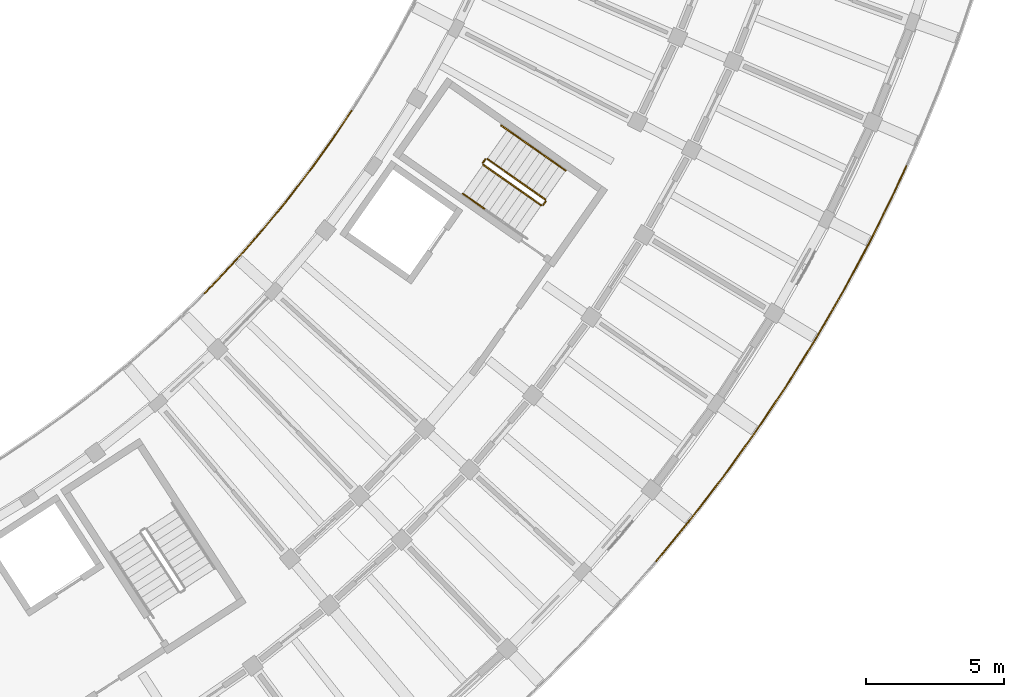
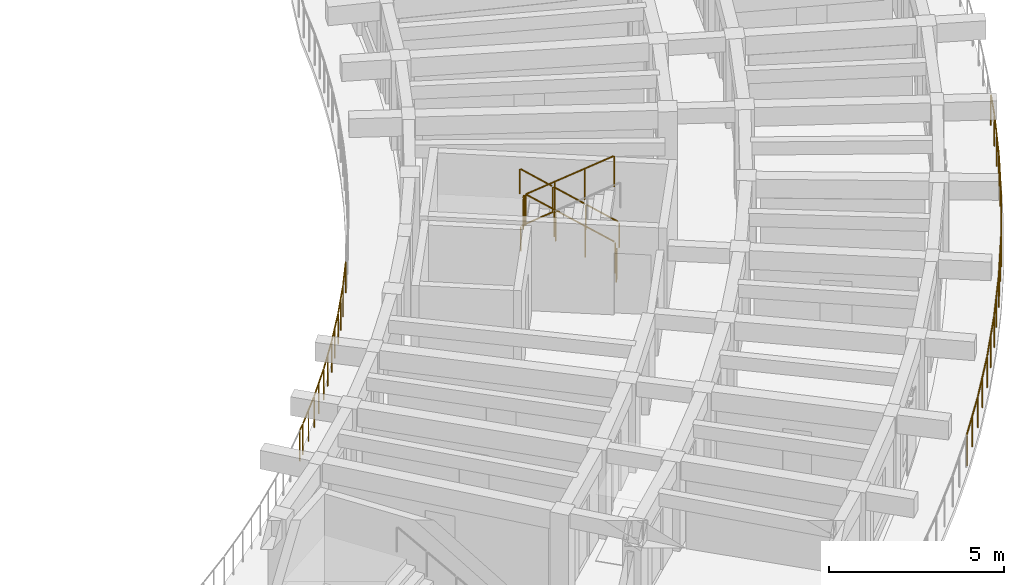
# One storey, part 76 of 81: 11 railings.
"""IFC4 building model written with IfcOpenShell, lengths in metres."""

from ifc_helpers import new_model, si_unit, direction, frame, origin, origin_2d, place, context, subcontext, project, spatial, circle, extrude, material, type_object, element, save


model = new_model("IFC4")

# Units and contexts
model_context = context("Model", 3, precision=1e-05, world=origin(), true_north=direction((0.0, 1.0)))
body_context = subcontext(model_context, "Body", "Model", "MODEL_VIEW")
ifc_project = project(units=[si_unit("LENGTHUNIT", "METRE"), si_unit("AREAUNIT", "SQUARE_METRE"), si_unit("VOLUMEUNIT", "CUBIC_METRE"), si_unit("PLANEANGLEUNIT", "RADIAN"), si_unit("MASSUNIT", "GRAM", prefix="KILO")], contexts=[model_context])

# Site, building, storey
site_placement = place(None, origin())
site = spatial("IfcSite", under=ifc_project, at=site_placement, CompositionType="ELEMENT")
building_placement = place(site_placement, origin())
building = spatial("IfcBuilding", under=site, at=building_placement, Name="Tanwirah Colonnade Gardens", CompositionType="ELEMENT")
storey_placement = place(building_placement, frame((0.0, 0.0, 8.840087890625)))
storey = spatial("IfcBuildingStorey", under=building, at=storey_placement, Name="L02", CompositionType="ELEMENT", Elevation=8.840087890625)

# Railings
ifc_material_1 = material(Name="Precast concrete C40/50", Category="concrete")
railing_type_1 = type_object("IfcRailingType", Name="BAL-EXT110", PredefinedType="BALUSTRADE", material=ifc_material_1)
railing_1_placement = place(storey_placement, frame((151.4033203125, 34.55224609375, 0.0)))
element("IfcRailing", 1, at=railing_1_placement, inside=storey, type_object=railing_type_1, Name="Block D L02 Balcony Ribbon Balustrade 4", PredefinedType="BALUSTRADE", context=body_context, shape_type="SweptSolid", body=[
    extrude(circle(Radius=0.02392578125, at=origin_2d()), frame((0.022216796875, 0.02197265625, 1.076171875), z_axis=(0.707849930104, 0.706362850419, 0.0), x_axis=(-0.706362850419, 0.707849930104, 0.0)), (0.0, 0.0, 1.0), 0.265869140625),
    extrude(circle(Radius=0.02392578125, at=origin_2d()), frame((0.255615234375, 0.256591796875, 1.076171875), z_axis=(0.684424509294, 0.729083733928, 0.0), x_axis=(-0.729083733928, 0.684424509294, 0.0)), (0.0, 0.0, 1.0), 1.33154296875),
    extrude(circle(Radius=0.02392578125, at=origin_2d()), frame((1.210693359375, 1.275634765625, 1.076171875), z_axis=(0.660288280901, 0.751012240982, 0.0), x_axis=(-0.751012240982, 0.660288280901, 0.0)), (0.0, 0.0, 1.0), 1.33154296875),
    extrude(circle(Radius=0.02392578125, at=origin_2d()), frame((2.1318359375, 2.325439453125, 1.076171875), z_axis=(0.635209885743, 0.77233956331, 0.0), x_axis=(-0.77233956331, 0.635209885743, 0.0)), (0.0, 0.0, 1.0), 1.33154296875),
    extrude(circle(Radius=0.02392578125, at=origin_2d()), frame((3.018310546875, 3.40478515625, 1.076171875), z_axis=(0.609651512095, 0.792669561546, 0.0), x_axis=(-0.792669561546, 0.609651512095, 0.0)), (0.0, 0.0, 1.0), 1.33154296875),
    extrude(circle(Radius=0.02392578125, at=origin_2d()), frame((3.868896484375, 4.512451171875, 1.076171875), z_axis=(0.58342309678, 0.812168387802, 0.0), x_axis=(-0.812168387802, 0.58342309678, 0.0)), (0.0, 0.0, 1.0), 1.331298828125),
    extrude(circle(Radius=0.02392578125, at=origin_2d()), frame((4.6826171875, 5.647216796875, 1.076171875), z_axis=(0.556551934592, 0.830812821339, 0.0), x_axis=(-0.830812821339, 0.556551934592, 0.0)), (0.0, 0.0, 1.0), 1.123291015625),
    extrude(circle(Radius=0.02099609375, at=origin_2d()), origin(), (0.0, 0.0, 1.0), 1.049072265625),
    extrude(circle(Radius=0.02099609375, at=origin_2d()), frame((0.232421875, 0.23193359375, 0.0)), (0.0, 0.0, 1.0), 1.049072265625),
    extrude(circle(Radius=0.02099609375, at=origin_2d()), frame((0.711181640625, 0.7421875, 0.0)), (0.0, 0.0, 1.0), 1.049072265625),
    extrude(circle(Radius=0.02099609375, at=origin_2d()), frame((1.188232421875, 1.250244140625, 0.0)), (0.0, 0.0, 1.0), 1.049072265625),
    extrude(circle(Radius=0.02099609375, at=origin_2d()), frame((1.650146484375, 1.775634765625, 0.0)), (0.0, 0.0, 1.0), 1.049072265625),
    extrude(circle(Radius=0.02099609375, at=origin_2d()), frame((2.1103515625, 2.299072265625, 0.0)), (0.0, 0.0, 1.0), 1.049072265625),
    extrude(circle(Radius=0.02099609375, at=origin_2d()), frame((2.5546875, 2.839599609375, 0.0)), (0.0, 0.0, 1.0), 1.049072265625),
    extrude(circle(Radius=0.02099609375, at=origin_2d()), frame((2.99755859375, 3.3779296875, 0.0)), (0.0, 0.0, 1.0), 1.049072265625),
    extrude(circle(Radius=0.02099609375, at=origin_2d()), frame((3.42431640625, 3.932373046875, 0.0)), (0.0, 0.0, 1.0), 1.049072265625),
    extrude(circle(Radius=0.02099609375, at=origin_2d()), frame((3.84912109375, 4.48486328125, 0.0)), (0.0, 0.0, 1.0), 1.049072265625),
    extrude(circle(Radius=0.02099609375, at=origin_2d()), frame((4.25732421875, 5.05322265625, 0.0)), (0.0, 0.0, 1.0), 1.049072265625),
    extrude(circle(Radius=0.02099609375, at=origin_2d()), frame((4.663818359375, 5.619140625, 0.0)), (0.0, 0.0, 1.0), 1.049072265625),
    extrude(circle(Radius=0.02099609375, at=origin_2d()), frame((5.3251953125, 6.6064453125, 0.0)), (0.0, 0.0, 1.0), 1.049072265625),
])
railing_2_placement = place(storey_placement, frame((176.82958984375, 39.15869140625, 0.0)))
element("IfcRailing", 2, at=railing_2_placement, inside=storey, type_object=railing_type_1, Name="Block D L02 Balcony Ribbon Balustrade 11", PredefinedType="BALUSTRADE", context=body_context, shape_type="SweptSolid", body=[
    extrude(circle(Radius=0.02392578125, at=origin_2d()), frame((-0.012939453125, -0.028564453125, 1.076171875), z_axis=(-0.413588400832, -0.910463966721, 0.0), x_axis=(0.910463966721, -0.413588400832, 0.0)), (0.0, 0.0, 1.0), 0.96630859375),
    extrude(circle(Radius=0.02392578125, at=origin_2d()), frame((-0.439453125, -0.96484375, 1.076171875), z_axis=(-0.443316350815, -0.896365223054, 0.0), x_axis=(0.896365223054, -0.443316350815, 0.0)), (0.0, 0.0, 1.0), 1.9443359375),
    extrude(circle(Radius=0.02392578125, at=origin_2d()), frame((-1.329833984375, -2.76318359375, 1.076171875), z_axis=(-0.472342962594, -0.881414843129, 0.0), x_axis=(0.881414843129, -0.472342962594, 0.0)), (0.0, 0.0, 1.0), 1.944091796875),
    extrude(circle(Radius=0.02392578125, at=origin_2d()), frame((-2.278564453125, -4.53125, 1.076171875), z_axis=(-0.500940340279, -0.865481816956, 0.0), x_axis=(0.865481816956, -0.500940340279, 0.0)), (0.0, 0.0, 1.0), 1.94384765625),
    extrude(circle(Radius=0.02392578125, at=origin_2d()), frame((-3.28466796875, -6.267333984375, 1.076171875), z_axis=(-0.528970161013, -0.848640423712, 0.0), x_axis=(0.848640423712, -0.528970161013, 0.0)), (0.0, 0.0, 1.0), 1.388671875),
    extrude(circle(Radius=0.02099609375, at=origin_2d()), origin(), (0.0, 0.0, 1.0), 1.049072265625),
    extrude(circle(Radius=0.02099609375, at=origin_2d()), frame((-0.425537109375, -0.936767578125, 0.0)), (0.0, 0.0, 1.0), 1.049072265625),
    extrude(circle(Radius=0.02099609375, at=origin_2d()), frame((-0.870361328125, -1.836181640625, 0.0)), (0.0, 0.0, 1.0), 1.049072265625),
    extrude(circle(Radius=0.02099609375, at=origin_2d()), frame((-1.315185546875, -2.735595703125, 0.0)), (0.0, 0.0, 1.0), 1.049072265625),
    extrude(circle(Radius=0.02099609375, at=origin_2d()), frame((-1.7890625, -3.619873046875, 0.0)), (0.0, 0.0, 1.0), 1.049072265625),
    extrude(circle(Radius=0.02099609375, at=origin_2d()), frame((-2.262939453125, -4.504150390625, 0.0)), (0.0, 0.0, 1.0), 1.049072265625),
    extrude(circle(Radius=0.02099609375, at=origin_2d()), frame((-2.765625, -5.37255859375, 0.0)), (0.0, 0.0, 1.0), 1.049072265625),
    extrude(circle(Radius=0.02099609375, at=origin_2d()), frame((-3.26806640625, -6.24072265625, 0.0)), (0.0, 0.0, 1.0), 1.049072265625),
    extrude(circle(Radius=0.02099609375, at=origin_2d()), frame((-3.65185546875, -6.8564453125, 0.0)), (0.0, 0.0, 1.0), 1.049072265625),
    extrude(circle(Radius=0.02099609375, at=origin_2d()), frame((-4.03564453125, -7.47216796875, 0.0)), (0.0, 0.0, 1.0), 1.049072265625),
])
railing_3_placement = place(storey_placement, frame((172.7939453125, 31.6865234375, 0.0)))
element("IfcRailing", 3, at=railing_3_placement, inside=storey, type_object=railing_type_1, Name="Block D L02 Balcony Ribbon Balustrade 12", PredefinedType="BALUSTRADE", context=body_context, shape_type="SweptSolid", body=[
    extrude(circle(Radius=0.02392578125, at=origin_2d()), frame((-0.0166015625, -0.026611328125, 1.076171875), z_axis=(-0.529090123172, -0.848565637745, 0.0), x_axis=(0.848565637745, -0.529090123172, 0.0)), (0.0, 0.0, 1.0), 0.4931640625),
    extrude(circle(Radius=0.02392578125, at=origin_2d()), frame((-0.311279296875, -0.497314453125, 1.076171875), z_axis=(-0.556495801451, -0.830850421537, 0.0), x_axis=(0.830850421537, -0.556495801451, 0.0)), (0.0, 0.0, 1.0), 1.944091796875),
    extrude(circle(Radius=0.02392578125, at=origin_2d()), frame((-1.428955078125, -2.1640625, 1.076171875), z_axis=(-0.583285007996, -0.812267566413, 0.0), x_axis=(0.812267566413, -0.583285007996, 0.0)), (0.0, 0.0, 1.0), 1.944091796875),
    extrude(circle(Radius=0.02392578125, at=origin_2d()), frame((-2.60009765625, -3.793212890625, 1.076171875), z_axis=(-0.609669601555, -0.7926556484, 0.0), x_axis=(0.7926556484, -0.609669601555, 0.0)), (0.0, 0.0, 1.0), 1.944091796875),
    extrude(circle(Radius=0.02392578125, at=origin_2d()), frame((-3.82421875, -5.38330078125, 1.076171875), z_axis=(-0.635218069505, -0.772332832511, 0.0), x_axis=(0.772332832511, -0.635218069505, 0.0)), (0.0, 0.0, 1.0), 1.8623046875),
    extrude(circle(Radius=0.02099609375, at=origin_2d()), origin(), (0.0, 0.0, 1.0), 1.049072265625),
    extrude(circle(Radius=0.02099609375, at=origin_2d()), frame((-0.2939453125, -0.471435546875, 0.0)), (0.0, 0.0, 1.0), 1.049072265625),
    extrude(circle(Radius=0.02099609375, at=origin_2d()), frame((-0.852294921875, -1.30517578125, 0.0)), (0.0, 0.0, 1.0), 1.049072265625),
    extrude(circle(Radius=0.02099609375, at=origin_2d()), frame((-1.41064453125, -2.138671875, 0.0)), (0.0, 0.0, 1.0), 1.049072265625),
    extrude(circle(Radius=0.02099609375, at=origin_2d()), frame((-1.995849609375, -2.95361328125, 0.0)), (0.0, 0.0, 1.0), 1.049072265625),
    extrude(circle(Radius=0.02099609375, at=origin_2d()), frame((-2.5810546875, -3.7685546875, 0.0)), (0.0, 0.0, 1.0), 1.049072265625),
    extrude(circle(Radius=0.02099609375, at=origin_2d()), frame((-3.19287109375, -4.56396484375, 0.0)), (0.0, 0.0, 1.0), 1.049072265625),
    extrude(circle(Radius=0.02099609375, at=origin_2d()), frame((-3.804443359375, -5.359130859375, 0.0)), (0.0, 0.0, 1.0), 1.049072265625),
    extrude(circle(Radius=0.02099609375, at=origin_2d()), frame((-4.415771484375, -6.1025390625, 0.0)), (0.0, 0.0, 1.0), 1.049072265625),
    extrude(circle(Radius=0.02099609375, at=origin_2d()), frame((-5.027099609375, -6.845703125, 0.0)), (0.0, 0.0, 1.0), 1.049072265625),
])
ifc_material_2 = material(Name="Powder-coated galvanized steel", Category="steel")
railing_type_2 = type_object("IfcRailingType", Name="GRD-ST110", PredefinedType="GUARDRAIL", material=ifc_material_2)
railing_4_placement = place(storey_placement, frame((163.751220703125, 37.94677734375, 0.16796875)))
element("IfcRailing", 4, at=railing_4_placement, inside=storey, type_object=railing_type_2, Name="L02 ST-D2 stair guard 1", PredefinedType="GUARDRAIL", context=body_context, shape_type="SweptSolid", body=[
    extrude(circle(Radius=0.02392578125, at=origin_2d()), frame((-0.02197265625, 0.015380859375, 1.092041015625), z_axis=(-0.705672637115, 0.494118441931, 0.507812066193), x_axis=(-0.573577325805, -0.819151421486, 0.0)), (0.0, 0.0, 1.0), 2.914794921875),
    extrude(circle(Radius=0.02099609375, at=origin_2d()), origin(), (0.0, 0.0, 1.0), 1.049072265625),
    extrude(circle(Radius=0.02099609375, at=origin_2d()), frame((-0.700439453125, 0.490478515625, 0.50390625)), (0.0, 0.0, 1.0), 1.049072265625),
    extrude(circle(Radius=0.02099609375, at=origin_2d()), frame((-1.400634765625, 0.980712890625, 1.008056640625)), (0.0, 0.0, 1.0), 1.049072265625),
    extrude(circle(Radius=0.02099609375, at=origin_2d()), frame((-2.10107421875, 1.47119140625, 1.511962890625)), (0.0, 0.0, 1.0), 1.049072265625),
])
railing_5_placement = place(storey_placement, frame((161.580322265625, 39.40576171875, 1.679931640625)))
element("IfcRailing", 5, at=railing_5_placement, inside=storey, type_object=railing_type_2, Name="L02 ST-D2 stair guard 2", PredefinedType="GUARDRAIL", context=body_context, shape_type="SweptSolid", body=[
    extrude(circle(Radius=0.02392578125, at=origin_2d()), frame((-0.017822265625, -0.025634765625, 1.076171875), z_axis=(-0.572539769307, -0.819876949647, 0.0), x_axis=(0.819876949647, -0.572539769307, 0.0)), (0.0, 0.0, 1.0), 0.097412109375),
    extrude(circle(Radius=0.02099609375, at=origin_2d()), origin(), (0.0, 0.0, 1.0), 1.049072265625),
    extrude(circle(Radius=0.02099609375, at=origin_2d()), frame((-0.091552734375, -0.131103515625, 0.0)), (0.0, 0.0, 1.0), 1.049072265625),
])
railing_6_placement = place(storey_placement, frame((161.5009765625, 39.205078125, 1.847900390625)))
element("IfcRailing", 6, at=railing_6_placement, inside=storey, type_object=railing_type_2, Name="L02 ST-D2 stair guard 3", PredefinedType="GUARDRAIL", context=body_context, shape_type="SweptSolid", body=[
    extrude(circle(Radius=0.02392578125, at=origin_2d()), frame((0.02197265625, -0.015380859375, 1.092041015625), z_axis=(0.705672637115, -0.494118441931, 0.507812066193), x_axis=(0.573577325805, 0.819151421486, 0.0)), (0.0, 0.0, 1.0), 2.914794921875),
    extrude(circle(Radius=0.02099609375, at=origin_2d()), origin(), (0.0, 0.0, 1.0), 1.049072265625),
    extrude(circle(Radius=0.02099609375, at=origin_2d()), frame((0.700439453125, -0.490478515625, 0.50390625)), (0.0, 0.0, 1.0), 1.049072265625),
    extrude(circle(Radius=0.02099609375, at=origin_2d()), frame((1.400634765625, -0.980712890625, 1.008056640625)), (0.0, 0.0, 1.0), 1.049072265625),
    extrude(circle(Radius=0.02099609375, at=origin_2d()), frame((2.10107421875, -1.47119140625, 1.511962890625)), (0.0, 0.0, 1.0), 1.049072265625),
])
railing_7_placement = place(storey_placement, frame((163.763427734375, 37.877197265625, 0.0)))
element("IfcRailing", 7, at=railing_7_placement, inside=storey, type_object=railing_type_2, Name="L02 ST-D2 stair guard 4", PredefinedType="GUARDRAIL", context=body_context, shape_type="SweptSolid", body=[
    extrude(circle(Radius=0.02392578125, at=origin_2d()), frame((-0.017822265625, -0.025634765625, 1.076171875), z_axis=(-0.57356471828, -0.819160249246, 0.0), x_axis=(0.819160249246, -0.57356471828, 0.0)), (0.0, 0.0, 1.0), 0.097412109375),
    extrude(circle(Radius=0.02099609375, at=origin_2d()), origin(), (0.0, 0.0, 1.0), 1.049072265625),
    extrude(circle(Radius=0.02099609375, at=origin_2d()), frame((-0.091796875, -0.131103515625, 0.0)), (0.0, 0.0, 1.0), 1.049072265625),
])
ifc_material_3 = material(Name="Brushed bronze stainless steel", Category="steel")
railing_type_3 = type_object("IfcRailingType", Name="HR-ST090", PredefinedType="HANDRAIL", material=ifc_material_3)
railing_8_placement = place(storey_placement, frame((164.4853515625, 38.995361328125, 0.16796875)))
element("IfcRailing", 8, at=railing_8_placement, inside=storey, type_object=railing_type_3, Name="L02 ST-D2 stair handrail 1", PredefinedType="HANDRAIL", context=body_context, shape_type="SweptSolid", body=[
    extrude(circle(Radius=0.02392578125, at=origin_2d()), frame((-0.02197265625, 0.015380859375, 0.891845703125), z_axis=(-0.703686044561, 0.492823109966, 0.511811814023), x_axis=(-0.57365206981, -0.819099079967, 0.0)), (0.0, 0.0, 1.0), 1.043212890625),
    extrude(circle(Radius=0.02099609375, at=origin_2d()), origin(), (0.0, 0.0, 1.0), 0.848876953125),
    extrude(circle(Radius=0.02099609375, at=origin_2d()), frame((-0.778076171875, 0.544921875, 0.56591796875)), (0.0, 0.0, 1.0), 0.848876953125),
])
railing_9_placement = place(storey_placement, frame((163.707275390625, 39.540283203125, 0.73388671875)))
element("IfcRailing", 9, at=railing_9_placement, inside=storey, type_object=railing_type_3, Name="L02 ST-D2 stair handrail 2", PredefinedType="HANDRAIL", context=body_context, shape_type="SweptSolid", body=[
    extrude(circle(Radius=0.02392578125, at=origin_2d()), frame((-0.02197265625, 0.015380859375, 0.891845703125), z_axis=(-0.703797483594, 0.492746544348, 0.511732298297), x_axis=(-0.573531324472, -0.819183630115, 0.0)), (0.0, 0.0, 1.0), 1.04345703125),
    extrude(circle(Radius=0.02099609375, at=origin_2d()), origin(), (0.0, 0.0, 1.0), 0.848876953125),
    extrude(circle(Radius=0.02099609375, at=origin_2d()), frame((-0.7783203125, 0.544921875, 0.56591796875)), (0.0, 0.0, 1.0), 0.848876953125),
])
railing_10_placement = place(storey_placement, frame((162.928955078125, 40.085205078125, 1.2998046875)))
element("IfcRailing", 10, at=railing_10_placement, inside=storey, type_object=railing_type_3, Name="L02 ST-D2 stair handrail 3", PredefinedType="HANDRAIL", context=body_context, shape_type="SweptSolid", body=[
    extrude(circle(Radius=0.02392578125, at=origin_2d()), frame((-0.02197265625, 0.015380859375, 0.891845703125), z_axis=(-0.703606519106, 0.492767414699, 0.511974746723), x_axis=(-0.57365206981, -0.819099079967, 0.0)), (0.0, 0.0, 1.0), 1.043212890625),
    extrude(circle(Radius=0.02099609375, at=origin_2d()), origin(), (0.0, 0.0, 1.0), 0.848876953125),
    extrude(circle(Radius=0.02099609375, at=origin_2d()), frame((-0.778076171875, 0.544921875, 0.566162109375)), (0.0, 0.0, 1.0), 0.848876953125),
])
railing_11_placement = place(storey_placement, frame((160.766845703125, 38.156494140625, 1.847900390625)))
element("IfcRailing", 11, at=railing_11_placement, inside=storey, type_object=railing_type_3, Name="L02 ST-D2 stair handrail 4", PredefinedType="HANDRAIL", context=body_context, shape_type="SweptSolid", body=[
    extrude(circle(Radius=0.02392578125, at=origin_2d()), frame((0.02197265625, -0.015380859375, 0.891845703125), z_axis=(0.703686044561, -0.492823109966, 0.511811814023), x_axis=(0.57365206981, 0.819099079967, 0.0)), (0.0, 0.0, 1.0), 1.043212890625),
    extrude(circle(Radius=0.02099609375, at=origin_2d()), origin(), (0.0, 0.0, 1.0), 0.848876953125),
    extrude(circle(Radius=0.02099609375, at=origin_2d()), frame((0.778076171875, -0.544921875, 0.56591796875)), (0.0, 0.0, 1.0), 0.848876953125),
])

save(model, "model.ifc")
